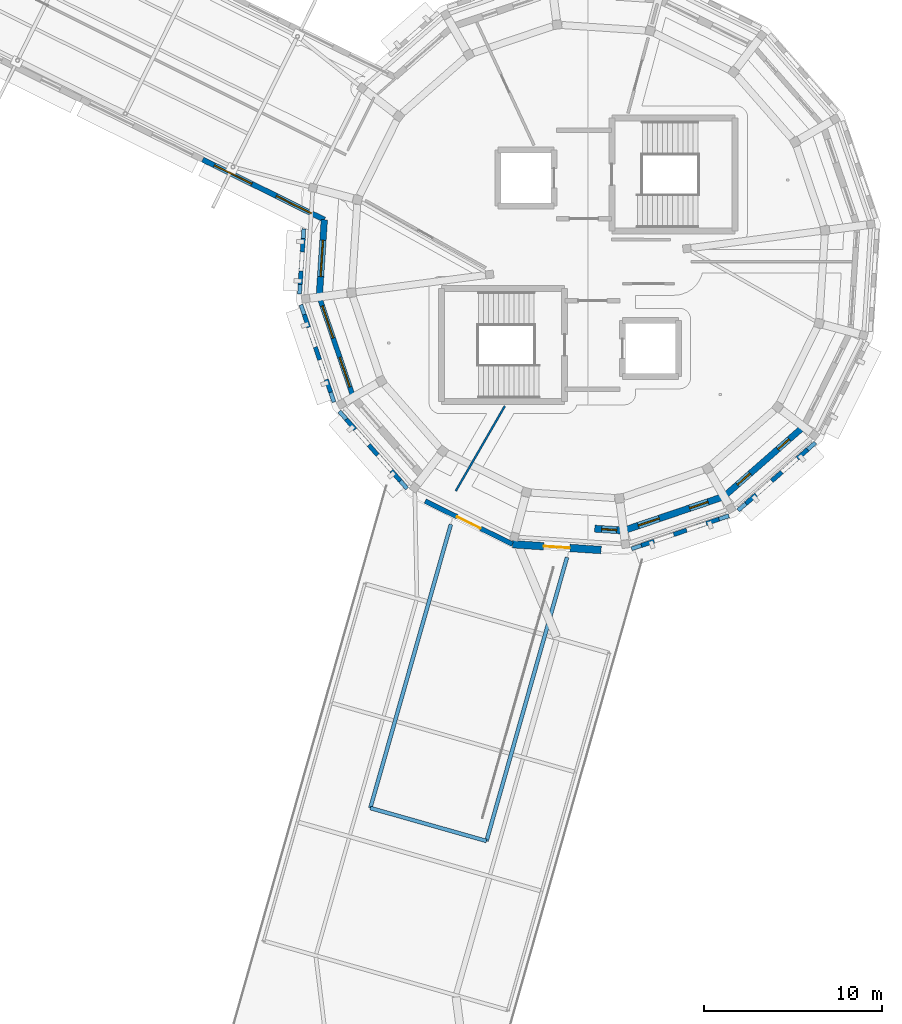
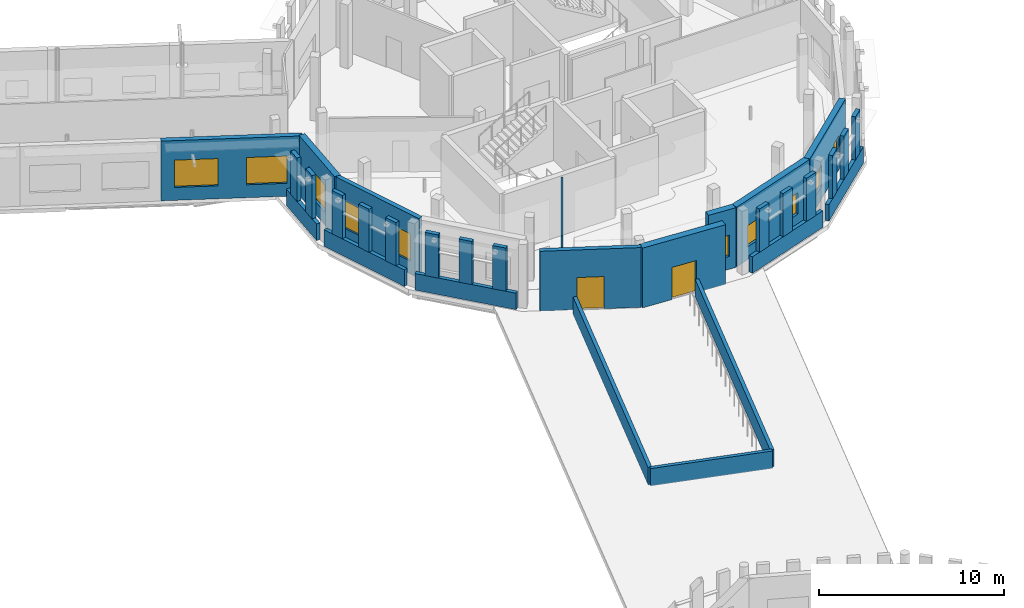
# One storey, part 49 of 68: 31 walls, 10 windows, 2 doors, 12 openings.
"""IFC4 building model written with IfcOpenShell, lengths in metres."""

from ifc_helpers import new_model, si_unit, direction, frame, frame_2d, origin, place, context, subcontext, project, spatial, rectangle, extrude, material, layer, layer_set, type_object, element, fill, save


model = new_model("IFC4")

# Units and contexts
model_context = context("Model", 3, precision=1e-05, world=origin(), true_north=direction((0.0, 1.0)))
body_context = subcontext(model_context, "Body", "Model", "MODEL_VIEW")
ifc_project = project(units=[si_unit("LENGTHUNIT", "METRE"), si_unit("AREAUNIT", "SQUARE_METRE"), si_unit("VOLUMEUNIT", "CUBIC_METRE"), si_unit("PLANEANGLEUNIT", "RADIAN"), si_unit("MASSUNIT", "GRAM", prefix="KILO")], contexts=[model_context])

# Site, building, storey
site_placement = place(None, origin())
site = spatial("IfcSite", under=ifc_project, at=site_placement, CompositionType="ELEMENT")
building_placement = place(site_placement, origin())
building = spatial("IfcBuilding", under=site, at=building_placement, Name="Wrenclough Park School", CompositionType="ELEMENT")
storey_placement = place(building_placement, frame((0.0, 0.0, 12.60009765625)))
storey = spatial("IfcBuildingStorey", under=building, at=storey_placement, Name="L03", CompositionType="ELEMENT", Elevation=12.60009765625)

# Walls
ifc_material_1 = material(Name="Perforated open-bond Staffordshire and Manchester brick screen pier", Category="masonry")
ifc_layer_1 = layer(ifc_material_1, 0.2451171875)
ifc_layer_set_1 = layer_set([ifc_layer_1], Name="Perforated open-bond Staffordshire and Manchester brick screen pier")
wall_type_1 = type_object("IfcWallType", Name="ENV-BS-PR245", PredefinedType="ELEMENTEDWALL", material=ifc_layer_set_1)
wall_1_placement = place(storey_placement, frame((158.44970703125, 94.80419921875, 1.08984375), z_axis=(0.0, 0.0, 1.0), x_axis=(-0.065218228618, -0.997871025061, 0.0)))
element("IfcWall", 1, at=wall_1_placement, inside=storey, type_object=wall_type_1, Name="D5 L03 perforated brick screen pier 0864", PredefinedType="ELEMENTEDWALL", context=body_context, shape_type="SweptSolid", body=[
    extrude(rectangle(XDim=0.760009765625, YDim=0.2451171875, at=frame_2d((0.3798828125, 0.0))), origin(), (0.0, 0.0, 1.0), 2.85009765625),
])
wall_2_placement = place(storey_placement, frame((158.329345703125, 92.96630859375, 1.08984375), z_axis=(0.0, 0.0, 1.0), x_axis=(-0.065197327118, -0.997872390908, 0.0)))
element("IfcWall", 2, at=wall_2_placement, inside=storey, type_object=wall_type_1, Name="D5 L03 perforated brick screen pier 0865", PredefinedType="ELEMENTEDWALL", context=body_context, shape_type="SweptSolid", body=[
    extrude(rectangle(XDim=0.76025390625, YDim=0.2451171875, at=frame_2d((0.380126953125, 0.0))), origin(), (0.0, 0.0, 1.0), 2.85009765625),
])
for number, where, z_axis, x_axis, name in (
    (3, (158.51171875, 90.509521484375, 1.08984375), (0.0, 0.0, 1.0), (0.321522655386, -0.946901886192, 0.0), "D5 L03 perforated brick screen pier 0866"),
    (4, (159.13134765625, 88.684326171875, 1.08984375), (0.0, 0.0, 1.0), (0.32123461411, -0.946999642396, 0.0), "D5 L03 perforated brick screen pier 0867"),
    (5, (159.750732421875, 86.859130859375, 1.08984375), (0.0, 0.0, 1.0), (0.321522655386, -0.946901886192, 0.0), "D5 L03 perforated brick screen pier 0868"),
    (6, (160.873046875, 84.618896484375, 1.08984375), (0.0, 0.0, 1.0), (0.659504701015, -0.751700438565, 0.0), "D5 L03 perforated brick screen pier 0869"),
):
    element("IfcWall", number, at=place(storey_placement, frame(where, z_axis=z_axis, x_axis=x_axis)), inside=storey, type_object=wall_type_1, Name=name, PredefinedType="ELEMENTEDWALL", context=body_context, shape_type="SweptSolid", body=[
        extrude(rectangle(XDim=0.760009765625, YDim=0.2451171875, at=frame_2d((0.3798828125, 0.0))), origin(), (0.0, 0.0, 1.0), 2.85009765625),
    ])
wall_3_placement = place(storey_placement, frame((162.143798828125, 83.169921875, 1.08984375), z_axis=(0.0, 0.0, 1.0), x_axis=(0.659345470196, -0.751840109951, 0.0)))
element("IfcWall", 7, at=wall_3_placement, inside=storey, type_object=wall_type_1, Name="D5 L03 perforated brick screen pier 0870", PredefinedType="ELEMENTEDWALL", context=body_context, shape_type="SweptSolid", body=[
    extrude(rectangle(XDim=0.76025390625, YDim=0.2451171875, at=frame_2d((0.380126953125, 0.0))), origin(), (0.0, 0.0, 1.0), 2.85009765625),
])
for number, where, z_axis, x_axis, name in (
    (8, (163.41455078125, 81.720703125, 1.08984375), (0.0, 0.0, 1.0), (0.659504701015, -0.751700438565, 0.0), "D5 L03 perforated brick screen pier 0871"),
    (9, (177.490478515625, 77.51171875, 1.08984375), (0.0, 0.0, 1.0), (0.946901886192, 0.321522655386, 0.0), "D5 L03 perforated brick screen pier 0872"),
    (10, (179.315673828125, 78.13134765625, 1.08984375), (0.0, 0.0, 1.0), (0.946999642396, 0.32123461411, 0.0), "D5 L03 perforated brick screen pier 0873"),
    (11, (181.140869140625, 78.750732421875, 1.08984375), (0.0, 0.0, 1.0), (0.946901886192, 0.321522655386, 0.0), "D5 L03 perforated brick screen pier 0874"),
    (12, (183.381103515625, 79.873046875, 1.08984375), (0.0, 0.0, 1.0), (0.751700438565, 0.659504701015, 0.0), "D5 L03 perforated brick screen pier 0875"),
):
    element("IfcWall", number, at=place(storey_placement, frame(where, z_axis=z_axis, x_axis=x_axis)), inside=storey, type_object=wall_type_1, Name=name, PredefinedType="ELEMENTEDWALL", context=body_context, shape_type="SweptSolid", body=[
        extrude(rectangle(XDim=0.760009765625, YDim=0.2451171875, at=frame_2d((0.3798828125, 0.0))), origin(), (0.0, 0.0, 1.0), 2.85009765625),
    ])
wall_4_placement = place(storey_placement, frame((184.830078125, 81.143798828125, 1.08984375), z_axis=(0.0, 0.0, 1.0), x_axis=(0.751840109951, 0.659345470196, 0.0)))
element("IfcWall", 13, at=wall_4_placement, inside=storey, type_object=wall_type_1, Name="D5 L03 perforated brick screen pier 0876", PredefinedType="ELEMENTEDWALL", context=body_context, shape_type="SweptSolid", body=[
    extrude(rectangle(XDim=0.76025390625, YDim=0.2451171875, at=frame_2d((0.380126953125, 0.0))), origin(), (0.0, 0.0, 1.0), 2.85009765625),
])
wall_5_placement = place(storey_placement, frame((186.279296875, 82.41455078125, 1.08984375), z_axis=(0.0, 0.0, 1.0), x_axis=(0.751700438565, 0.659504701015, 0.0)))
element("IfcWall", 14, at=wall_5_placement, inside=storey, type_object=wall_type_1, Name="D5 L03 perforated brick screen pier 0877", PredefinedType="ELEMENTEDWALL", context=body_context, shape_type="SweptSolid", body=[
    extrude(rectangle(XDim=0.760009765625, YDim=0.2451171875, at=frame_2d((0.3798828125, 0.0))), origin(), (0.0, 0.0, 1.0), 2.85009765625),
])
ifc_material_2 = material(Name="Open-bond Manchester multi-stock brick spandrel screen", Category="masonry")
ifc_layer_2 = layer(ifc_material_2, 0.22509765625)
ifc_layer_set_2 = layer_set([ifc_layer_2], Name="Open-bond Manchester multi-stock brick spandrel screen")
wall_type_2 = type_object("IfcWallType", Name="ENV-BS-SP225", PredefinedType="ELEMENTEDWALL", material=ifc_layer_set_2)
wall_6_placement = place(storey_placement, frame((158.485107421875, 95.343994140625, 0.0), z_axis=(0.0, 0.0, 1.0), x_axis=(-0.065344536311, -0.997862761894, 0.0)))
element("IfcWall", 15, at=wall_6_placement, inside=storey, type_object=wall_type_2, Name="D5 L03 open-bond brick screen spandrel 0233", PredefinedType="ELEMENTEDWALL", context=body_context, shape_type="SweptSolid", body=[
    extrude(rectangle(XDim=3.683837890625, YDim=0.22509765625, at=frame_2d((1.841796875, 0.0))), origin(), (0.0, 0.0, 1.0), 1.08984375),
])
wall_7_placement = place(storey_placement, frame((158.32421875, 91.062255859375, 0.0), z_axis=(0.0, 0.0, 1.0), x_axis=(0.321403850935, -0.946942218197, 0.0)))
element("IfcWall", 16, at=wall_7_placement, inside=storey, type_object=wall_type_2, Name="D5 L03 open-bond brick screen spandrel 0234", PredefinedType="ELEMENTEDWALL", context=body_context, shape_type="SweptSolid", body=[
    extrude(rectangle(XDim=5.7822265625, YDim=0.22509765625, at=frame_2d((2.89111328125, 0.0))), origin(), (0.0, 0.0, 1.0), 1.08984375),
])
wall_8_placement = place(storey_placement, frame((160.48828125, 85.0576171875, 0.0), z_axis=(0.0, 0.0, 1.0), x_axis=(0.659335243923, -0.751849078021, 0.0)))
element("IfcWall", 17, at=wall_8_placement, inside=storey, type_object=wall_type_2, Name="D5 L03 open-bond brick screen spandrel 0235", PredefinedType="ELEMENTEDWALL", context=body_context, shape_type="SweptSolid", body=[
    extrude(rectangle(XDim=5.781982421875, YDim=0.22509765625, at=frame_2d((2.89111328125, 0.0))), origin(), (0.0, 0.0, 1.0), 1.08984375),
])
wall_9_placement = place(storey_placement, frame((176.937744140625, 77.32421875, 0.0), z_axis=(0.0, 0.0, 1.0), x_axis=(0.946942218197, 0.321403850935, 0.0)))
element("IfcWall", 18, at=wall_9_placement, inside=storey, type_object=wall_type_2, Name="D5 L03 open-bond brick screen spandrel 0236", PredefinedType="ELEMENTEDWALL", context=body_context, shape_type="SweptSolid", body=[
    extrude(rectangle(XDim=5.7822265625, YDim=0.22509765625, at=frame_2d((2.89111328125, 0.0))), origin(), (0.0, 0.0, 1.0), 1.08984375),
])
wall_10_placement = place(storey_placement, frame((182.9423828125, 79.48828125, 0.0), z_axis=(0.0, 0.0, 1.0), x_axis=(0.751849078021, 0.659335243923, 0.0)))
element("IfcWall", 19, at=wall_10_placement, inside=storey, type_object=wall_type_2, Name="D5 L03 open-bond brick screen spandrel 0237", PredefinedType="ELEMENTEDWALL", context=body_context, shape_type="SweptSolid", body=[
    extrude(rectangle(XDim=5.781982421875, YDim=0.22509765625, at=frame_2d((2.89111328125, 0.0))), origin(), (0.0, 0.0, 1.0), 1.08984375),
])

# Wall, openings, windows
ifc_material_3 = material(Name="Link wing brick-faced cavity wall Concrete C32/40", Category="masonry")
ifc_layer_3 = layer(ifc_material_3, 0.27490234375)
ifc_layer_set_3 = layer_set([ifc_layer_3], Name="Link wing brick-faced cavity wall Concrete C32/40")
wall_type_3 = type_object("IfcWallType", Name="ENV-EW-275", PredefinedType="SOLIDWALL", material=ifc_layer_set_3)
wall_11_placement = place(storey_placement, frame((161.26904296875, 85.861083984375, 0.0), z_axis=(0.0, 0.0, 1.0), x_axis=(-0.321420298269, 0.94693663561, 0.0)))
wall_11 = element("IfcWall", 20, at=wall_11_placement, inside=storey, type_object=wall_type_3, Name="L03 insulated brick external wall 0254", PredefinedType="SOLIDWALL", context=body_context, shape_type="SweptSolid", body=[
    extrude(rectangle(XDim=5.961181640625, YDim=0.27490234375, at=frame_2d((2.98046875, 0.0))), origin(), (0.0, 0.0, 1.0), 3.93994140625),
])
opening_1_placement = place(wall_11_placement, frame((0.615234375, 0.0, 0.85009765625)))
opening_1 = element("IfcOpeningElement", 21, at=opening_1_placement, cuts=wall_11, Name="Opening WN-30", PredefinedType="OPENING", context=body_context, shape_type="SweptSolid", body=[
    extrude(rectangle(XDim=1.75, YDim=1.800048828125, at=frame_2d((0.875, 0.89990234375))), frame((0.0, 0.1474609375, 0.0), z_axis=(0.0, -1.0, 0.0), x_axis=(1.0, 0.0, 0.0)), (0.0, 0.0, 1.0), 0.294921875),
])
opening_2_placement = place(wall_11_placement, frame((3.52099609375, 0.0, 0.85009765625)))
opening_2 = element("IfcOpeningElement", 22, at=opening_2_placement, cuts=wall_11, Name="Opening WN-31", PredefinedType="OPENING", context=body_context, shape_type="SweptSolid", body=[
    extrude(rectangle(XDim=1.89990234375, YDim=1.800048828125, at=frame_2d((0.949951171875, 0.89990234375))), frame((0.0, 0.1474609375, 0.0), z_axis=(0.0, -1.0, 0.0), x_axis=(1.0, 0.0, 0.0)), (0.0, 0.0, 1.0), 0.294921875),
])
ifc_material_4 = material(Name="Thermally broken aluminium and double-glazed low-e glass", Category="aluminium")
window_type_1 = type_object("IfcWindowType", Name="ENV-WN-30", PartitioningType="DOUBLE_PANEL_VERTICAL", PredefinedType="WINDOW", material=ifc_material_4)
window_1_placement = place(opening_1_placement, origin())
window_1 = element("IfcWindow", 23, at=window_1_placement, inside=storey, type_object=window_type_1, Name="L03 scheduled facade window 0421", OverallHeight=1.800048828125, OverallWidth=1.75, PartitioningType="SINGLE_PANEL", PredefinedType="WINDOW", context=body_context, shape_type="SweptSolid", body=[
    extrude(rectangle(XDim=1.75, YDim=1.800048828125, at=frame_2d((0.875, 0.89990234375))), frame((0.0, 0.030029296875, 0.0), z_axis=(0.0, -1.0, 0.0), x_axis=(1.0, 0.0, 0.0)), (0.0, 0.0, 1.0), 0.06005859375),
])
fill(opening_1, window_1)
window_type_2 = type_object("IfcWindowType", Name="ENV-WN-31", PartitioningType="DOUBLE_PANEL_VERTICAL", PredefinedType="WINDOW", material=ifc_material_4)
window_2_placement = place(opening_2_placement, origin())
window_2 = element("IfcWindow", 24, at=window_2_placement, inside=storey, type_object=window_type_2, Name="L03 scheduled facade window 0422", OverallHeight=1.800048828125, OverallWidth=1.89990234375, PartitioningType="SINGLE_PANEL", PredefinedType="WINDOW", context=body_context, shape_type="SweptSolid", body=[
    extrude(rectangle(XDim=1.89990234375, YDim=1.800048828125, at=frame_2d((0.949951171875, 0.89990234375))), frame((0.0, 0.030029296875, 0.0), z_axis=(0.0, -1.0, 0.0), x_axis=(1.0, 0.0, 0.0)), (0.0, 0.0, 1.0), 0.06005859375),
])
fill(opening_2, window_2)

# Wall, opening, door
wall_12_placement = place(storey_placement, frame((170.2353515625, 77.583740234375, 0.0), z_axis=(0.0, 0.0, 1.0), x_axis=(-0.896871838513, 0.442290521356, 0.0)))
wall_12 = element("IfcWall", 25, at=wall_12_placement, inside=storey, type_object=wall_type_3, Name="L03 insulated brick external wall 0302", PredefinedType="SOLIDWALL", context=body_context, shape_type="SweptSolid", body=[
    extrude(rectangle(XDim=5.482421875, YDim=0.27490234375, at=frame_2d((2.7412109375, 0.0))), origin(), (0.0, 0.0, 1.0), 3.93994140625),
])
opening_3_placement = place(wall_12_placement, frame((2.001220703125, 0.0, 0.0)))
opening_3 = element("IfcOpeningElement", 26, at=opening_3_placement, cuts=wall_12, Name="Opening DPD-PD-3E-2", PredefinedType="OPENING", context=body_context, shape_type="SweptSolid", body=[
    extrude(rectangle(XDim=1.47998046875, YDim=2.1201171875, at=frame_2d((0.739990234375, 1.06005859375))), frame((0.0, 0.1474609375, 0.0), z_axis=(0.0, -1.0, 0.0), x_axis=(1.0, 0.0, 0.0)), (0.0, 0.0, 1.0), 0.294921875),
])
ifc_material_5 = material(Name="Thermally broken powder-coated aluminium and laminated safety glass", Category="aluminium")
door_type = type_object("IfcDoorType", Name="DR-PD148", OperationType="NOTDEFINED", PredefinedType="DOOR", material=ifc_material_5)
door_1_placement = place(opening_3_placement, origin())
door_1 = element("IfcDoor", 27, at=door_1_placement, inside=storey, type_object=door_type, Name="Play deck PD-3E access door 2", OperationType="DOUBLE_DOOR_SINGLE_SWING", OverallHeight=2.1201171875, OverallWidth=1.47998046875, PredefinedType="DOOR", context=body_context, shape_type="SweptSolid", body=[
    extrude(rectangle(XDim=1.47998046875, YDim=2.1201171875, at=frame_2d((0.739990234375, 1.06005859375))), frame((0.0, 0.02490234375, 0.0), z_axis=(0.0, -1.0, 0.0), x_axis=(1.0, 0.0, 0.0)), (0.0, 0.0, 1.0), 0.050048828125),
])
fill(opening_3, door_1)

# Wall, openings, windows
ifc_material_6 = material(Name="Manchester multi-stock brick and Concrete C32/40 inner leaf", Category="masonry")
ifc_layer_4 = layer(ifc_material_6, 0.300048828125)
ifc_layer_set_4 = layer_set([ifc_layer_4], Name="Manchester multi-stock brick and Concrete C32/40 inner leaf")
wall_type_4 = type_object("IfcWallType", Name="ENV-EW-300", PredefinedType="SOLIDWALL", material=ifc_layer_set_4)
wall_13_placement = place(storey_placement, frame((159.63818359375, 95.855712890625, 0.0), z_axis=(0.0, 0.0, 1.0), x_axis=(-0.896266612371, 0.443515681289, 0.0)))
wall_13 = element("IfcWall", 28, at=wall_13_placement, inside=storey, type_object=wall_type_4, Name="L03 insulated brick external wall 0256", PredefinedType="SOLIDWALL", context=body_context, shape_type="SweptSolid", body=[
    extrude(rectangle(XDim=7.639892578125, YDim=0.300048828125, at=frame_2d((3.81982421875, 0.0))), origin(), (0.0, 0.0, 1.0), 3.93994140625),
])
opening_4_placement = place(wall_13_placement, frame((0.81005859375, 0.0, 0.85009765625)))
opening_4 = element("IfcOpeningElement", 29, at=opening_4_placement, cuts=wall_13, Name="Opening WN-33", PredefinedType="OPENING", context=body_context, shape_type="SweptSolid", body=[
    extrude(rectangle(XDim=2.199951171875, YDim=1.800048828125, at=frame_2d((1.10009765625, 0.89990234375))), frame((0.0, 0.159912109375, 0.0), z_axis=(0.0, -1.0, 0.0), x_axis=(1.0, 0.0, 0.0)), (0.0, 0.0, 1.0), 0.320068359375),
])
opening_5_placement = place(wall_13_placement, frame((4.554931640625, 0.0, 0.85009765625)))
opening_5 = element("IfcOpeningElement", 30, at=opening_5_placement, cuts=wall_13, Name="Opening WN-34", PredefinedType="OPENING", context=body_context, shape_type="SweptSolid", body=[
    extrude(rectangle(XDim=2.35009765625, YDim=1.800048828125, at=frame_2d((1.175048828125, 0.89990234375))), frame((0.0, 0.159912109375, 0.0), z_axis=(0.0, -1.0, 0.0), x_axis=(1.0, 0.0, 0.0)), (0.0, 0.0, 1.0), 0.320068359375),
])
window_type_3 = type_object("IfcWindowType", Name="ENV-WN-33", PartitioningType="DOUBLE_PANEL_VERTICAL", PredefinedType="WINDOW", material=ifc_material_4)
window_3_placement = place(opening_4_placement, origin())
window_3 = element("IfcWindow", 31, at=window_3_placement, inside=storey, type_object=window_type_3, Name="L03 scheduled facade window 0424", OverallHeight=1.800048828125, OverallWidth=2.199951171875, PartitioningType="SINGLE_PANEL", PredefinedType="WINDOW", context=body_context, shape_type="SweptSolid", body=[
    extrude(rectangle(XDim=2.199951171875, YDim=1.800048828125, at=frame_2d((1.10009765625, 0.89990234375))), frame((0.0, 0.030029296875, 0.0), z_axis=(0.0, -1.0, 0.0), x_axis=(1.0, 0.0, 0.0)), (0.0, 0.0, 1.0), 0.06005859375),
])
fill(opening_4, window_3)
window_type_4 = type_object("IfcWindowType", Name="ENV-WN-34", PartitioningType="DOUBLE_PANEL_VERTICAL", PredefinedType="WINDOW", material=ifc_material_4)
window_4_placement = place(opening_5_placement, origin())
window_4 = element("IfcWindow", 32, at=window_4_placement, inside=storey, type_object=window_type_4, Name="L03 scheduled facade window 0425", OverallHeight=1.800048828125, OverallWidth=2.35009765625, PartitioningType="SINGLE_PANEL", PredefinedType="WINDOW", context=body_context, shape_type="SweptSolid", body=[
    extrude(rectangle(XDim=2.35009765625, YDim=1.800048828125, at=frame_2d((1.175048828125, 0.89990234375))), frame((0.0, 0.030029296875, 0.0), z_axis=(0.0, -1.0, 0.0), x_axis=(1.0, 0.0, 0.0)), (0.0, 0.0, 1.0), 0.06005859375),
])
fill(opening_5, window_4)

ifc_material_7 = material(Name="Staffordshire blue-grey brick and Concrete C35/45 inner leaf", Category="masonry")
ifc_layer_5 = layer(ifc_material_7, 0.35009765625)
ifc_layer_set_5 = layer_set([ifc_layer_5], Name="Staffordshire blue-grey brick and Concrete C35/45 inner leaf")
wall_type_5 = type_object("IfcWallType", Name="ENV-EW-350", PredefinedType="SOLIDWALL", material=ifc_layer_set_5)
wall_14_placement = place(storey_placement, frame((186.62060546875, 84.199462890625, 0.0), z_axis=(0.0, 0.0, 1.0), x_axis=(-0.751832842143, -0.659353757459, 0.0)))
wall_14 = element("IfcWall", 33, at=wall_14_placement, inside=storey, type_object=wall_type_5, Name="L03 insulated brick external wall 0298", PredefinedType="SOLIDWALL", context=body_context, shape_type="SweptSolid", body=[
    extrude(rectangle(XDim=5.9609375, YDim=0.35009765625, at=frame_2d((2.98046875, 0.0))), origin(), (0.0, 0.0, 1.0), 3.93994140625),
])
opening_6_placement = place(wall_14_placement, frame((1.065185546875, 0.0, 0.85009765625)))
opening_6 = element("IfcOpeningElement", 34, at=opening_6_placement, cuts=wall_14, Name="Opening WN-01", PredefinedType="OPENING", context=body_context, shape_type="SweptSolid", body=[
    extrude(rectangle(XDim=0.85009765625, YDim=1.39990234375, at=frame_2d((0.425048828125, 0.699951171875))), frame((0.0, 0.18505859375, 0.0), z_axis=(0.0, -1.0, 0.0), x_axis=(1.0, 0.0, 0.0)), (0.0, 0.0, 1.0), 0.3701171875),
])
opening_7_placement = place(wall_14_placement, frame((3.99560546875, 0.0, 0.85009765625)))
opening_7 = element("IfcOpeningElement", 35, at=opening_7_placement, cuts=wall_14, Name="Opening WN-02", PredefinedType="OPENING", context=body_context, shape_type="SweptSolid", body=[
    extrude(rectangle(XDim=0.949951171875, YDim=1.39990234375, at=frame_2d((0.47509765625, 0.699951171875))), frame((0.0, 0.18505859375, 0.0), z_axis=(0.0, -1.0, 0.0), x_axis=(1.0, 0.0, 0.0)), (0.0, 0.0, 1.0), 0.3701171875),
])
window_type_5 = type_object("IfcWindowType", Name="ENV-WN-01", PartitioningType="SINGLE_PANEL", PredefinedType="WINDOW", material=ifc_material_4)
window_5_placement = place(opening_6_placement, origin())
window_5 = element("IfcWindow", 36, at=window_5_placement, inside=storey, type_object=window_type_5, Name="L03 scheduled facade window 0504", OverallHeight=1.39990234375, OverallWidth=0.85009765625, PartitioningType="SINGLE_PANEL", PredefinedType="WINDOW", context=body_context, shape_type="SweptSolid", body=[
    extrude(rectangle(XDim=0.85009765625, YDim=1.39990234375, at=frame_2d((0.425048828125, 0.699951171875))), frame((0.0, 0.030029296875, 0.0), z_axis=(0.0, -1.0, 0.0), x_axis=(1.0, 0.0, 0.0)), (0.0, 0.0, 1.0), 0.06005859375),
])
fill(opening_6, window_5)
window_type_6 = type_object("IfcWindowType", Name="ENV-WN-02", PartitioningType="SINGLE_PANEL", PredefinedType="WINDOW", material=ifc_material_4)
window_6_placement = place(opening_7_placement, origin())
window_6 = element("IfcWindow", 37, at=window_6_placement, inside=storey, type_object=window_type_6, Name="L03 scheduled facade window 0505", OverallHeight=1.39990234375, OverallWidth=0.949951171875, PartitioningType="SINGLE_PANEL", PredefinedType="WINDOW", context=body_context, shape_type="SweptSolid", body=[
    extrude(rectangle(XDim=0.949951171875, YDim=1.39990234375, at=frame_2d((0.47509765625, 0.699951171875))), frame((0.0, 0.030029296875, 0.0), z_axis=(0.0, -1.0, 0.0), x_axis=(1.0, 0.0, 0.0)), (0.0, 0.0, 1.0), 0.06005859375),
])
fill(opening_7, window_6)

# Wall, opening, window
ifc_material_8 = material(Name="Faceted courtyard brick-cavity wall Concrete C35/45", Category="masonry")
ifc_layer_6 = layer(ifc_material_8, 0.364990234375)
ifc_layer_set_6 = layer_set([ifc_layer_6], Name="Faceted courtyard brick-cavity wall Concrete C35/45")
wall_type_6 = type_object("IfcWallType", Name="ENV-EW-365", PredefinedType="SOLIDWALL", material=ifc_layer_set_6)
wall_15_placement = place(storey_placement, frame((159.35302734375, 91.505859375, 0.0), z_axis=(0.0, 0.0, 1.0), x_axis=(0.06541495856, 0.997858147833, 0.0)))
wall_15 = element("IfcWall", 38, at=wall_15_placement, inside=storey, type_object=wall_type_6, Name="L03 insulated brick external wall 0255", PredefinedType="SOLIDWALL", context=body_context, shape_type="SweptSolid", body=[
    extrude(rectangle(XDim=4.359130859375, YDim=0.364990234375, at=frame_2d((2.1796875, 0.0))), origin(), (0.0, 0.0, 1.0), 3.93994140625),
])
opening_8_placement = place(wall_15_placement, frame((1.154541015625, 0.0, 0.85009765625)))
opening_8 = element("IfcOpeningElement", 39, at=opening_8_placement, cuts=wall_15, Name="Opening WN-32", PredefinedType="OPENING", context=body_context, shape_type="SweptSolid", body=[
    extrude(rectangle(XDim=2.050048828125, YDim=1.800048828125, at=frame_2d((1.02490234375, 0.89990234375))), frame((0.0, 0.1923828125, 0.0), z_axis=(0.0, -1.0, 0.0), x_axis=(1.0, 0.0, 0.0)), (0.0, 0.0, 1.0), 0.385009765625),
])
window_type_7 = type_object("IfcWindowType", Name="ENV-WN-32", PartitioningType="DOUBLE_PANEL_VERTICAL", PredefinedType="WINDOW", material=ifc_material_4)
window_7_placement = place(opening_8_placement, origin())
window_7 = element("IfcWindow", 40, at=window_7_placement, inside=storey, type_object=window_type_7, Name="L03 scheduled facade window 0423", OverallHeight=1.800048828125, OverallWidth=2.050048828125, PartitioningType="SINGLE_PANEL", PredefinedType="WINDOW", context=body_context, shape_type="SweptSolid", body=[
    extrude(rectangle(XDim=2.050048828125, YDim=1.800048828125, at=frame_2d((1.02490234375, 0.89990234375))), frame((0.0, 0.030029296875, 0.0), z_axis=(0.0, -1.0, 0.0), x_axis=(1.0, 0.0, 0.0)), (0.0, 0.0, 1.0), 0.06005859375),
])
fill(opening_8, window_7)

# Wall, openings, windows
ifc_material_9 = material(Name="Manchester multi-stock brick and Concrete C35/45 inner leaf", Category="masonry")
ifc_layer_7 = layer(ifc_material_9, 0.3798828125)
ifc_layer_set_7 = layer_set([ifc_layer_7], Name="Manchester multi-stock brick and Concrete C35/45 inner leaf")
wall_type_7 = type_object("IfcWallType", Name="ENV-EW-380", PredefinedType="SOLIDWALL", material=ifc_layer_set_7)
wall_16_placement = place(storey_placement, frame((182.138916015625, 80.26904296875, 0.0), z_axis=(0.0, 0.0, 1.0), x_axis=(-0.94693663561, -0.321420298269, 0.0)))
wall_16 = element("IfcWall", 41, at=wall_16_placement, inside=storey, type_object=wall_type_7, Name="L03 insulated brick external wall 0299", PredefinedType="SOLIDWALL", context=body_context, shape_type="SweptSolid", body=[
    extrude(rectangle(XDim=5.961181640625, YDim=0.3798828125, at=frame_2d((2.98046875, 0.0))), origin(), (0.0, 0.0, 1.0), 3.93994140625),
])
opening_9_placement = place(wall_16_placement, frame((0.940185546875, 0.0, 0.85009765625)))
opening_9 = element("IfcOpeningElement", 42, at=opening_9_placement, cuts=wall_16, Name="Opening WN-03", PredefinedType="OPENING", context=body_context, shape_type="SweptSolid", body=[
    extrude(rectangle(XDim=1.10009765625, YDim=1.39990234375, at=frame_2d((0.550048828125, 0.699951171875))), frame((0.0, 0.199951171875, 0.0), z_axis=(0.0, -1.0, 0.0), x_axis=(1.0, 0.0, 0.0)), (0.0, 0.0, 1.0), 0.39990234375),
])
opening_10_placement = place(wall_16_placement, frame((3.845947265625, 0.0, 0.85009765625)))
opening_10 = element("IfcOpeningElement", 43, at=opening_10_placement, cuts=wall_16, Name="Opening WN-04", PredefinedType="OPENING", context=body_context, shape_type="SweptSolid", body=[
    extrude(rectangle(XDim=1.25, YDim=1.39990234375, at=frame_2d((0.625, 0.699951171875))), frame((0.0, 0.199951171875, 0.0), z_axis=(0.0, -1.0, 0.0), x_axis=(1.0, 0.0, 0.0)), (0.0, 0.0, 1.0), 0.39990234375),
])
window_type_8 = type_object("IfcWindowType", Name="ENV-WN-03", PartitioningType="SINGLE_PANEL", PredefinedType="WINDOW", material=ifc_material_4)
window_8_placement = place(opening_9_placement, origin())
window_8 = element("IfcWindow", 44, at=window_8_placement, inside=storey, type_object=window_type_8, Name="L03 scheduled facade window 0506", OverallHeight=1.39990234375, OverallWidth=1.10009765625, PartitioningType="SINGLE_PANEL", PredefinedType="WINDOW", context=body_context, shape_type="SweptSolid", body=[
    extrude(rectangle(XDim=1.10009765625, YDim=1.39990234375, at=frame_2d((0.550048828125, 0.699951171875))), frame((0.0, 0.030029296875, 0.0), z_axis=(0.0, -1.0, 0.0), x_axis=(1.0, 0.0, 0.0)), (0.0, 0.0, 1.0), 0.06005859375),
])
fill(opening_9, window_8)
window_type_9 = type_object("IfcWindowType", Name="ENV-WN-04", PartitioningType="SINGLE_PANEL", PredefinedType="WINDOW", material=ifc_material_4)
window_9_placement = place(opening_10_placement, origin())
window_9 = element("IfcWindow", 45, at=window_9_placement, inside=storey, type_object=window_type_9, Name="L03 scheduled facade window 0507", OverallHeight=1.39990234375, OverallWidth=1.25, PartitioningType="SINGLE_PANEL", PredefinedType="WINDOW", context=body_context, shape_type="SweptSolid", body=[
    extrude(rectangle(XDim=1.25, YDim=1.39990234375, at=frame_2d((0.625, 0.699951171875))), frame((0.0, 0.030029296875, 0.0), z_axis=(0.0, -1.0, 0.0), x_axis=(1.0, 0.0, 0.0)), (0.0, 0.0, 1.0), 0.06005859375),
])
fill(opening_10, window_9)

# Wall, opening, window
ifc_material_10 = material(Name="Staffordshire blue-grey brick and Concrete C40/50 acoustic leaf", Category="masonry")
ifc_layer_8 = layer(ifc_material_10, 0.39990234375)
ifc_layer_set_8 = layer_set([ifc_layer_8], Name="Staffordshire blue-grey brick and Concrete C40/50 acoustic leaf")
wall_type_8 = type_object("IfcWallType", Name="ENV-EW-400", PredefinedType="SOLIDWALL", material=ifc_layer_set_8)
wall_17_placement = place(storey_placement, frame((176.494140625, 78.35302734375, 0.0), z_axis=(0.0, 0.0, 1.0), x_axis=(-0.997857268824, 0.06542836583, 0.0)))
wall_17 = element("IfcWall", 46, at=wall_17_placement, inside=storey, type_object=wall_type_8, Name="L03 insulated brick external wall 0300", PredefinedType="SOLIDWALL", context=body_context, shape_type="SweptSolid", body=[
    extrude(rectangle(XDim=1.63427734375, YDim=0.39990234375, at=frame_2d((0.817138671875, 0.0))), origin(), (0.0, 0.0, 1.0), 3.93994140625),
])
opening_11_placement = place(wall_17_placement, frame((0.39208984375, 0.0, 0.85009765625)))
opening_11 = element("IfcOpeningElement", 47, at=opening_11_placement, cuts=wall_17, Name="Opening WN-01", PredefinedType="OPENING", context=body_context, shape_type="SweptSolid", body=[
    extrude(rectangle(XDim=0.85009765625, YDim=1.39990234375, at=frame_2d((0.425048828125, 0.699951171875))), frame((0.0, 0.2099609375, 0.0), z_axis=(0.0, -1.0, 0.0), x_axis=(1.0, 0.0, 0.0)), (0.0, 0.0, 1.0), 0.419921875),
])
window_10_placement = place(opening_11_placement, origin())
window_10 = element("IfcWindow", 48, at=window_10_placement, inside=storey, type_object=window_type_5, Name="L03 scheduled facade window 0508", OverallHeight=1.39990234375, OverallWidth=0.85009765625, PartitioningType="SINGLE_PANEL", PredefinedType="WINDOW", context=body_context, shape_type="SweptSolid", body=[
    extrude(rectangle(XDim=0.85009765625, YDim=1.39990234375, at=frame_2d((0.425048828125, 0.699951171875))), frame((0.0, 0.030029296875, 0.0), z_axis=(0.0, -1.0, 0.0), x_axis=(1.0, 0.0, 0.0)), (0.0, 0.0, 1.0), 0.06005859375),
])
fill(opening_11, window_10)

# Wall, opening, door
ifc_material_11 = material(Name="Insulated brick-clad sports hall wall Concrete C40/50", Category="masonry")
ifc_layer_9 = layer(ifc_material_11, 0.425048828125)
ifc_layer_set_9 = layer_set([ifc_layer_9], Name="Insulated brick-clad sports hall wall Concrete C40/50")
wall_type_9 = type_object("IfcWallType", Name="ENV-EW-425", PredefinedType="SOLIDWALL", material=ifc_layer_set_9)
wall_18_placement = place(storey_placement, frame((175.22509765625, 77.256591796875, 0.0), z_axis=(0.0, 0.0, 1.0), x_axis=(-0.997857576121, 0.065423679029, 0.0)))
wall_18 = element("IfcWall", 49, at=wall_18_placement, inside=storey, type_object=wall_type_9, Name="L03 insulated brick external wall 0301", PredefinedType="SOLIDWALL", context=body_context, shape_type="SweptSolid", body=[
    extrude(rectangle(XDim=5.00048828125, YDim=0.425048828125, at=frame_2d((2.500244140625, 0.0))), origin(), (0.0, 0.0, 1.0), 3.93994140625),
])
opening_12_placement = place(wall_18_placement, frame((1.76025390625, 0.0, 0.0)))
opening_12 = element("IfcOpeningElement", 50, at=opening_12_placement, cuts=wall_18, Name="Opening DPD-PD-3E-1", PredefinedType="OPENING", context=body_context, shape_type="SweptSolid", body=[
    extrude(rectangle(XDim=1.47998046875, YDim=2.1201171875, at=frame_2d((0.739990234375, 1.06005859375))), frame((0.0, 0.222412109375, 0.0), z_axis=(0.0, -1.0, 0.0), x_axis=(1.0, 0.0, 0.0)), (0.0, 0.0, 1.0), 0.445068359375),
])
door_2_placement = place(opening_12_placement, origin())
door_2 = element("IfcDoor", 51, at=door_2_placement, inside=storey, type_object=door_type, Name="Play deck PD-3E access door 1", OperationType="DOUBLE_DOOR_SINGLE_SWING", OverallHeight=2.1201171875, OverallWidth=1.47998046875, PredefinedType="DOOR", context=body_context, shape_type="SweptSolid", body=[
    extrude(rectangle(XDim=1.47998046875, YDim=2.1201171875, at=frame_2d((0.739990234375, 1.06005859375))), frame((0.0, 0.02490234375, 0.0), z_axis=(0.0, -1.0, 0.0), x_axis=(1.0, 0.0, 0.0)), (0.0, 0.0, 1.0), 0.050048828125),
])
fill(opening_12, door_2)

# Walls
ifc_material_12 = material(Name="Capped Staffordshire blue-grey brick parapet", Category="masonry")
ifc_layer_10 = layer(ifc_material_12, 0.215087890625)
ifc_layer_set_10 = layer_set([ifc_layer_10], Name="Capped Staffordshire blue-grey brick parapet")
wall_type_10 = type_object("IfcWallType", Name="ENV-PW-215", PredefinedType="PARAPET", material=ifc_layer_set_10)
wall_19_placement = place(storey_placement, frame((168.770751953125, 60.871337890625, 0.0), z_axis=(0.0, 0.0, 1.0), x_axis=(0.273110542485, 0.961982656592, 0.0)))
element("IfcWall", 52, at=wall_19_placement, inside=storey, type_object=wall_type_10, Name="Play deck PD-3E dividing parapet wall 010", PredefinedType="PARAPET", context=body_context, shape_type="SweptSolid", body=[
    extrude(rectangle(XDim=16.60107421875, YDim=0.215087890625, at=frame_2d((8.300537109375, 0.0))), origin(), (0.0, 0.0, 1.0), 1.14990234375),
])
wall_20_placement = place(storey_placement, frame((166.76220703125, 78.6943359375, 0.0), z_axis=(0.0, 0.0, 1.0), x_axis=(-0.273121791647, -0.961979462841, 0.0)))
element("IfcWall", 53, at=wall_20_placement, inside=storey, type_object=wall_type_10, Name="Play deck PD-3E dividing parapet wall 011", PredefinedType="PARAPET", context=body_context, shape_type="SweptSolid", body=[
    extrude(rectangle(XDim=16.596923828125, YDim=0.215087890625, at=frame_2d((8.29833984375, 0.0))), origin(), (0.0, 0.0, 1.0), 1.14990234375),
])
wall_21_placement = place(storey_placement, frame((162.229248046875, 62.728515625, 0.0), z_axis=(0.0, 0.0, 1.0), x_axis=(0.961981889867, -0.273113243122, 0.0)))
element("IfcWall", 54, at=wall_21_placement, inside=storey, type_object=wall_type_10, Name="Play deck PD-3E dividing parapet wall 012", PredefinedType="PARAPET", context=body_context, shape_type="SweptSolid", body=[
    extrude(rectangle(XDim=6.800048828125, YDim=0.215087890625, at=frame_2d((3.39990234375, 0.0))), origin(), (0.0, 0.0, 1.0), 1.14990234375),
])
ifc_material_13 = material(Name="Lightweight fire-rated store partition", Category="gypsum")
ifc_layer_11 = layer(ifc_material_13, 0.110107421875)
ifc_layer_set_11 = layer_set([ifc_layer_11], Name="Lightweight fire-rated store partition")
wall_type_11 = type_object("IfcWallType", Name="INT-PW-110", PredefinedType="PARTITIONING", material=ifc_layer_set_11)
wall_22_placement = place(storey_placement, frame((169.80322265625, 85.364990234375, 0.0), z_axis=(0.0, 0.0, 1.0), x_axis=(-0.499990325971, -0.866030989016, 0.0)))
element("IfcWall", 55, at=wall_22_placement, inside=storey, type_object=wall_type_11, Name="L03 internal partition 0481", PredefinedType="PARTITIONING", context=body_context, shape_type="SweptSolid", body=[
    extrude(rectangle(XDim=5.5224609375, YDim=0.110107421875, at=frame_2d((2.76123046875, 0.0))), origin(), (0.0, 0.0, 1.0), 3.914794921875),
])

save(model, "model.ifc")
